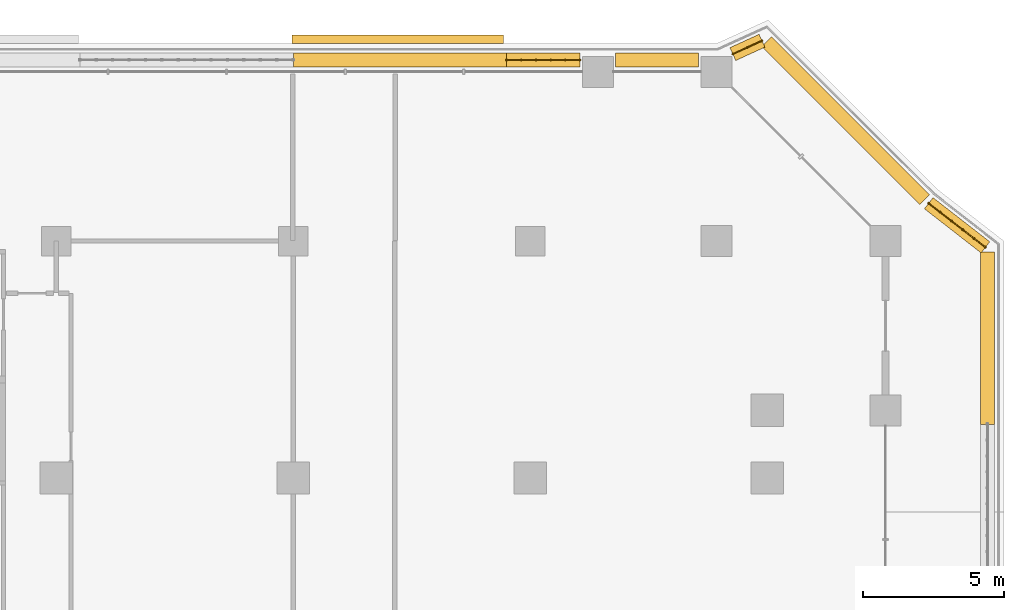
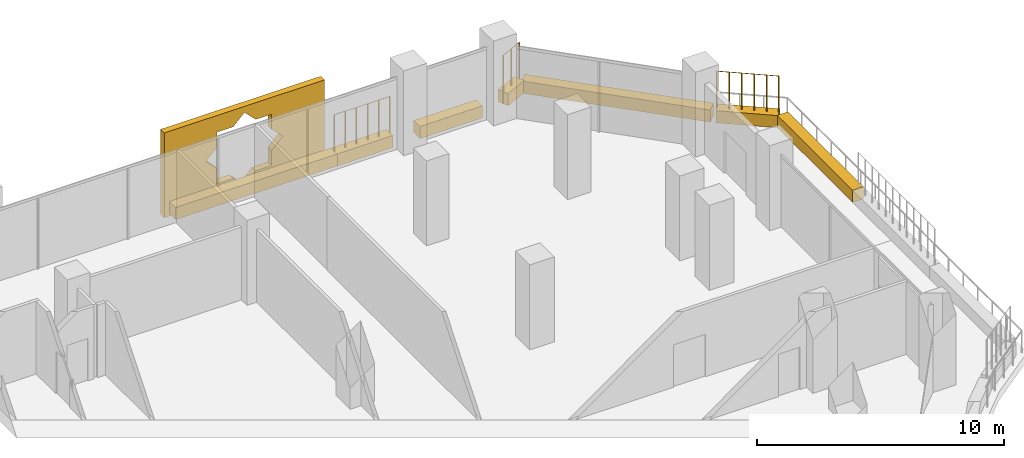
# One storey, part 29 of 29: 8 coverings, 3 railings.
"""IFC4 building model written with IfcOpenShell, lengths in metres."""

from ifc_helpers import new_model, si_unit, direction, frame, origin, origin_2d, place, context, subcontext, project, spatial, polyline, rectangle, circle, outline, extrude, material, material_profile, profile_set, type_object, element, save


model = new_model("IFC4")

# Units and contexts
model_context = context("Model", 3, precision=1e-05, world=origin(), true_north=direction((0.0, 1.0)))
body_context = subcontext(model_context, "Body", "Model", "MODEL_VIEW")
ifc_project = project(units=[si_unit("LENGTHUNIT", "METRE"), si_unit("AREAUNIT", "SQUARE_METRE"), si_unit("VOLUMEUNIT", "CUBIC_METRE"), si_unit("PLANEANGLEUNIT", "RADIAN"), si_unit("MASSUNIT", "GRAM", prefix="KILO")], contexts=[model_context])

# Site, building, storey
site_placement = place(None, origin())
site = spatial("IfcSite", under=ifc_project, at=site_placement, CompositionType="ELEMENT")
building_placement = place(site_placement, origin())
building = spatial("IfcBuilding", under=site, at=building_placement, Name="Kawkab Arch Medical Tower", CompositionType="ELEMENT")
storey_placement = place(building_placement, frame((0.0, 0.0, 107.199951171875)))
storey = spatial("IfcBuildingStorey", under=building, at=storey_placement, Name="L24", CompositionType="ELEMENT", Elevation=107.199951171875)

# Coverings
ifc_material_1 = material(Name="Bronze anodised aluminium mashrabiya panel, eight-point star pattern", Category="aluminium")
ifc_material_profile_1 = material_profile(ifc_material_1, outline(polyline([(-3.75, -2.10009765625), (3.75, -2.10009765625), (3.75, 2.10009765625), (-3.75, 2.10009765625), (-3.75, -2.10009765625)]), holes=[polyline([(1.800048828125, 0.0), (1.272705078125, 0.527099609375), (1.272705078125, 1.272705078125), (0.527099609375, 1.272705078125), (0.0, 1.800048828125), (-0.527099609375, 1.272705078125), (-1.272705078125, 1.272705078125), (-1.272705078125, 0.527099609375), (-1.800048828125, 0.0), (-1.272705078125, -0.527099609375), (-1.272705078125, -1.272705078125), (-0.527099609375, -1.272705078125), (0.0, -1.800048828125), (0.527099609375, -1.272705078125), (1.272705078125, -1.272705078125), (1.272705078125, -0.527099609375), (1.800048828125, 0.0)])]), Name="Mashrabiya panel 7500x4200")
ifc_profile_set_1 = profile_set([ifc_material_profile_1], Name="Bronze anodised aluminium mashrabiya panel, eight-point star pattern")
covering_type_1 = type_object("IfcCoveringType", Name="Mashrabiya panel 7500 x 4200", PredefinedType="USERDEFINED", material=ifc_profile_set_1)
covering_1_placement = place(storey_placement, frame((62.50146484375, 7.0, 1.699951171875), z_axis=(0.0, 1.0, 0.0), x_axis=(-1.0, 0.0, 0.0)))
element("IfcCovering", 1, at=covering_1_placement, inside=storey, type_object=covering_type_1, Name="Mashrabiya panel L24.LOG-01-02.9", ObjectType="SCREEN", PredefinedType="USERDEFINED", context=body_context, shape_type="SweptSolid", body=[
    extrude(outline(polyline([(-3.75, -2.10009765625), (3.75, -2.10009765625), (3.75, 2.10009765625), (-3.75, 2.10009765625), (-3.75, -2.10009765625)]), holes=[polyline([(1.800048828125, 0.0), (1.272705078125, 0.527099609375), (1.272705078125, 1.272705078125), (0.527099609375, 1.272705078125), (0.0, 1.800048828125), (-0.527099609375, 1.272705078125), (-1.272705078125, 1.272705078125), (-1.272705078125, 0.527099609375), (-1.800048828125, 0.0), (-1.272705078125, -0.527099609375), (-1.272705078125, -1.272705078125), (-0.527099609375, -1.272705078125), (0.0, -1.800048828125), (0.527099609375, -1.272705078125), (1.272705078125, -1.272705078125), (1.272705078125, -0.527099609375), (1.800048828125, 0.0)])]), origin(), (0.0, 0.0, 1.0), 0.300048828125),
])
ifc_material_2 = material(Name="Planting soil in a precast trough", Category="concrete")
ifc_material_profile_2 = material_profile(ifc_material_2, rectangle(XDim=0.5, YDim=0.60009765625, at=origin_2d()), Name="Trough 500x600")
ifc_profile_set_2 = profile_set([ifc_material_profile_2], Name="Planting soil in a precast trough")
covering_type_2 = type_object("IfcCoveringType", Name="Planter trough 500 x 600", PredefinedType="USERDEFINED", material=ifc_profile_set_2)
covering_2_placement = place(storey_placement, frame((58.802978515625, 6.419921875, 0.300048828125), z_axis=(1.0, 0.0, 0.0), x_axis=(0.0, 1.0, 0.0)))
element("IfcCovering", 2, at=covering_2_placement, inside=storey, type_object=covering_type_2, Name="Planter L24.LOG-01-02.24", ObjectType="PLANTER", PredefinedType="USERDEFINED", context=body_context, shape_type="SweptSolid", body=[
    extrude(rectangle(XDim=0.5, YDim=0.60009765625, at=origin_2d()), origin(), (0.0, 0.0, 1.0), 7.56201171875),
])
covering_3_placement = place(storey_placement, frame((66.364990234375, 6.419921875, 0.300048828125), z_axis=(1.0, 0.0, 0.0), x_axis=(0.0, 1.0, 0.0)))
element("IfcCovering", 3, at=covering_3_placement, inside=storey, type_object=covering_type_2, Name="Planter L24.LOG-01-02.25", ObjectType="PLANTER", PredefinedType="USERDEFINED", context=body_context, shape_type="SweptSolid", body=[
    extrude(rectangle(XDim=0.5, YDim=0.60009765625, at=origin_2d()), origin(), (0.0, 0.0, 1.0), 2.60498046875),
])
covering_4_placement = place(storey_placement, frame((70.22998046875, 6.419921875, 0.300048828125), z_axis=(1.0, 0.0, 0.0), x_axis=(0.0, 1.0, 0.0)))
element("IfcCovering", 4, at=covering_4_placement, inside=storey, type_object=covering_type_2, Name="Planter L24.LOG-01-02.26", ObjectType="PLANTER", PredefinedType="USERDEFINED", context=body_context, shape_type="SweptSolid", body=[
    extrude(rectangle(XDim=0.5, YDim=0.60009765625, at=origin_2d()), origin(), (0.0, 0.0, 1.0), 2.93994140625),
])
covering_5_placement = place(storey_placement, frame((74.385986328125, 6.6298828125, 0.300048828125), z_axis=(0.909784924336, 0.415079981992, 0.0), x_axis=(-0.415079981992, 0.909784924336, 0.0)))
element("IfcCovering", 5, at=covering_5_placement, inside=storey, type_object=covering_type_2, Name="Planter L24.LOG-01-02.27", ObjectType="PLANTER", PredefinedType="USERDEFINED", context=body_context, shape_type="SweptSolid", body=[
    extrude(rectangle(XDim=0.5, YDim=0.60009765625, at=origin_2d()), origin(), (0.0, 0.0, 1.0), 1.137451171875),
])
covering_6_placement = place(storey_placement, frame((75.5830078125, 7.072998046875, 0.300048828125), z_axis=(0.707106781187, -0.707106781187, 0.0), x_axis=(0.707106781187, 0.707106781187, 0.0)))
element("IfcCovering", 6, at=covering_6_placement, inside=storey, type_object=covering_type_2, Name="Planter L24.LOG-01-02.28", ObjectType="PLANTER", PredefinedType="USERDEFINED", context=body_context, shape_type="SweptSolid", body=[
    extrude(rectangle(XDim=0.5, YDim=0.60009765625, at=origin_2d()), origin(), (0.0, 0.0, 1.0), 7.919677734375),
])
covering_7_placement = place(storey_placement, frame((81.33203125, 1.341064453125, 0.300048828125), z_axis=(0.789274742246, -0.61404021143, 0.0), x_axis=(0.61404021143, 0.789274742246, 0.0)))
element("IfcCovering", 7, at=covering_7_placement, inside=storey, type_object=covering_type_2, Name="Planter L24.LOG-01-02.29", ObjectType="PLANTER", PredefinedType="USERDEFINED", context=body_context, shape_type="SweptSolid", body=[
    extrude(rectangle(XDim=0.5, YDim=0.60009765625, at=origin_2d()), origin(), (0.0, 0.0, 1.0), 2.54541015625),
])
covering_8_placement = place(storey_placement, frame((83.419921875, -0.384033203125, 0.300048828125), z_axis=(0.0, -1.0, 0.0), x_axis=(1.0, 0.0, 0.0)))
element("IfcCovering", 8, at=covering_8_placement, inside=storey, type_object=covering_type_2, Name="Planter L24.LOG-01-02.30", ObjectType="PLANTER", PredefinedType="USERDEFINED", context=body_context, shape_type="SweptSolid", body=[
    extrude(rectangle(XDim=0.5, YDim=0.60009765625, at=origin_2d()), origin(), (0.0, 0.0, 1.0), 6.111083984375),
])

# Railings
ifc_material_3 = material(Name="Bronze anodised aluminium trellis for climbing plants", Category="aluminium")
railing_type = type_object("IfcRailingType", Name="Planting trellis 2400", PredefinedType="USERDEFINED", material=ifc_material_3)
railing_1_placement = place(storey_placement, frame((66.364990234375, 6.419921875, 0.0)))
element("IfcRailing", 9, at=railing_1_placement, inside=storey, type_object=railing_type, Name="Planting trellis L24.LOG-01-02.25", ObjectType="TRELLIS", PredefinedType="USERDEFINED", context=body_context, shape_type="SweptSolid", body=[
    extrude(circle(Radius=0.01513671875, at=origin_2d()), frame((0.0, 0.0, 2.384765625), z_axis=(1.0, 0.0, 0.0), x_axis=(0.0, 1.0, 0.0)), (0.0, 0.0, 1.0), 2.60498046875),
    extrude(circle(Radius=0.030029296875, at=origin_2d()), origin(), (0.0, 0.0, 1.0), 2.369873046875),
    extrude(circle(Radius=0.030029296875, at=origin_2d()), frame((0.52099609375, 0.0, 0.0)), (0.0, 0.0, 1.0), 2.369873046875),
    extrude(circle(Radius=0.030029296875, at=origin_2d()), frame((1.0419921875, 0.0, 0.0)), (0.0, 0.0, 1.0), 2.369873046875),
    extrude(circle(Radius=0.030029296875, at=origin_2d()), frame((1.56298828125, 0.0, 0.0)), (0.0, 0.0, 1.0), 2.369873046875),
    extrude(circle(Radius=0.030029296875, at=origin_2d()), frame((2.083984375, 0.0, 0.0)), (0.0, 0.0, 1.0), 2.369873046875),
    extrude(circle(Radius=0.030029296875, at=origin_2d()), frame((2.60498046875, 0.0, 0.0)), (0.0, 0.0, 1.0), 2.369873046875),
])
railing_2_placement = place(storey_placement, frame((74.385986328125, 6.6298828125, 0.0)))
element("IfcRailing", 10, at=railing_2_placement, inside=storey, type_object=railing_type, Name="Planting trellis L24.LOG-01-02.27", ObjectType="TRELLIS", PredefinedType="USERDEFINED", context=body_context, shape_type="SweptSolid", body=[
    extrude(circle(Radius=0.01513671875, at=origin_2d()), frame((0.0, 0.0, 2.384765625), z_axis=(0.909784924336, 0.415079981992, 0.0), x_axis=(-0.415079981992, 0.909784924336, 0.0)), (0.0, 0.0, 1.0), 1.137451171875),
    extrude(circle(Radius=0.030029296875, at=origin_2d()), origin(), (0.0, 0.0, 1.0), 2.369873046875),
    extrude(circle(Radius=0.030029296875, at=origin_2d()), frame((0.517578125, 0.236083984375, 0.0)), (0.0, 0.0, 1.0), 2.369873046875),
    extrude(circle(Radius=0.030029296875, at=origin_2d()), frame((1.034912109375, 0.47216796875, 0.0)), (0.0, 0.0, 1.0), 2.369873046875),
])
railing_3_placement = place(storey_placement, frame((81.33203125, 1.341064453125, 0.0)))
element("IfcRailing", 11, at=railing_3_placement, inside=storey, type_object=railing_type, Name="Planting trellis L24.LOG-01-02.29", ObjectType="TRELLIS", PredefinedType="USERDEFINED", context=body_context, shape_type="SweptSolid", body=[
    extrude(circle(Radius=0.01513671875, at=origin_2d()), frame((0.0, 0.0, 2.384765625), z_axis=(0.789274742246, -0.61404021143, 0.0), x_axis=(0.61404021143, 0.789274742246, 0.0)), (0.0, 0.0, 1.0), 2.54541015625),
    extrude(circle(Radius=0.030029296875, at=origin_2d()), origin(), (0.0, 0.0, 1.0), 2.369873046875),
    extrude(circle(Radius=0.030029296875, at=origin_2d()), frame((0.40185546875, -0.3125, 0.0)), (0.0, 0.0, 1.0), 2.369873046875),
    extrude(circle(Radius=0.030029296875, at=origin_2d()), frame((0.8037109375, -0.625244140625, 0.0)), (0.0, 0.0, 1.0), 2.369873046875),
    extrude(circle(Radius=0.030029296875, at=origin_2d()), frame((1.205322265625, -0.937744140625, 0.0)), (0.0, 0.0, 1.0), 2.369873046875),
    extrude(circle(Radius=0.030029296875, at=origin_2d()), frame((1.607177734375, -1.25048828125, 0.0)), (0.0, 0.0, 1.0), 2.369873046875),
    extrude(circle(Radius=0.030029296875, at=origin_2d()), frame((2.009033203125, -1.56298828125, 0.0)), (0.0, 0.0, 1.0), 2.369873046875),
])

save(model, "model.ifc")
